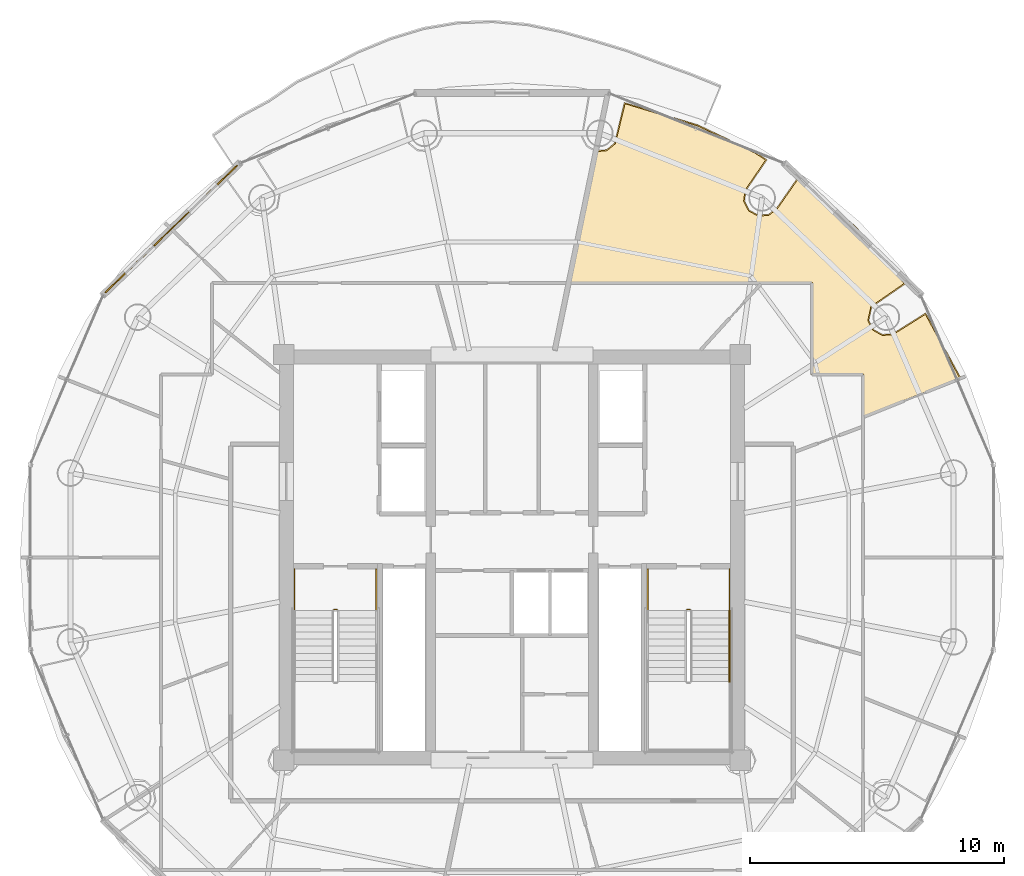
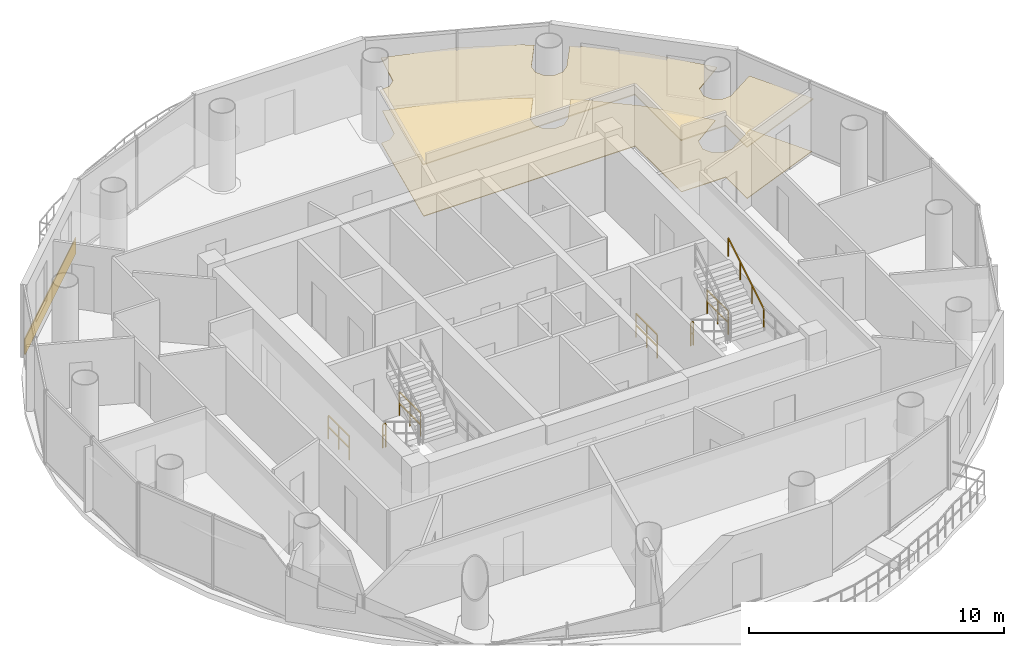
# One storey, part 20 of 21: 7 railings, 3 coverings.
"""IFC4 building model written with IfcOpenShell, lengths in metres."""

from ifc_helpers import new_model, si_unit, direction, frame, origin, origin_2d, place, context, subcontext, project, spatial, polyline, rectangle, outline, extrude, source, transform, mapped, material, layer, layer_set, type_object, element, save


model = new_model("IFC4")

# Units and contexts
model_context = context("Model", 3, precision=1e-05, world=origin(), true_north=direction((-0.2419218956, 0.970295726276)))
body_context = subcontext(model_context, "Body", "Model", "MODEL_VIEW")
ifc_project = project(units=[si_unit("LENGTHUNIT", "METRE"), si_unit("AREAUNIT", "SQUARE_METRE"), si_unit("VOLUMEUNIT", "CUBIC_METRE"), si_unit("PLANEANGLEUNIT", "RADIAN"), si_unit("MASSUNIT", "GRAM", prefix="KILO")], contexts=[model_context])

# Site, building, storey
site_placement = place(None, origin())
site = spatial("IfcSite", under=ifc_project, at=site_placement, CompositionType="ELEMENT")
building_placement = place(site_placement, origin())
building = spatial("IfcBuilding", under=site, at=building_placement, Name="Cobrevalo Terracotta Tower", CompositionType="ELEMENT")
storey_placement = place(building_placement, frame((0.0, 0.0, 281.949951171875)))
storey = spatial("IfcBuildingStorey", under=building, at=storey_placement, Name="L74", CompositionType="ELEMENT", Elevation=281.949951171875)

# Coverings
ifc_material_1 = material(Name="Engineered Brazilian hardwood flooring", Category="wood")
ifc_layer_1 = layer(ifc_material_1, 0.028076171875)
ifc_layer_set_1 = layer_set([ifc_layer_1], Name="Engineered Brazilian hardwood flooring")
covering_type_1 = type_object("IfcCoveringType", Name="Engineered Hardwood Suite Flooring 28", PredefinedType="FLOORING", material=ifc_layer_set_1)
covering_1_placement = place(storey_placement, origin())
element("IfcCovering", 1, at=covering_1_placement, inside=storey, type_object=covering_type_1, Name="Flat L74B Private Cinema Room floor finish", PredefinedType="FLOORING", context=body_context, shape_type="SweptSolid", body=[
    extrude(outline(polyline([(41.321533203125, 42.796630859375), (41.74072265625, 42.83642578125), (42.074951171875, 43.1064453125), (42.45947265625, 44.68603515625), (45.317138671875, 43.817626953125), (47.560302734375, 42.751953125), (47.99853515625, 42.4697265625), (47.18310546875, 41.2724609375), (47.1328125, 40.845703125), (47.328369140625, 40.463134765625), (47.703369140625, 40.25341796875), (48.1318359375, 40.28759765625), (48.46826171875, 40.55322265625), (49.243896484375, 41.668212890625), (49.639892578125, 41.413330078125), (51.52001953125, 39.82470703125), (53.4560546875, 37.599365234375), (52.15087890625, 36.69482421875), (52.0302734375, 36.1416015625), (52.2255859375, 35.7587890625), (52.600830078125, 35.54931640625), (53.029052734375, 35.58349609375), (54.300048828125, 36.382568359375), (55.65380859375, 33.8701171875), (51.85498046875, 32.353271484375), (51.85498046875, 34.030029296875), (49.844970703125, 34.030029296875), (49.844970703125, 37.64501953125), (40.25830078125, 37.64501953125), (41.321533203125, 42.796630859375)])), origin(), (0.0, 0.0, 1.0), 0.030029296875),
])
ifc_material_2 = material(Name="Acoustic perforated gypsum ceiling", Category="gypsum")
ifc_layer_2 = layer(ifc_material_2, 0.050048828125)
ifc_layer_set_2 = layer_set([ifc_layer_2], Name="Acoustic perforated gypsum ceiling")
covering_type_2 = type_object("IfcCoveringType", Name="Perforated Acoustic Gypsum Ceiling 50", PredefinedType="CEILING", material=ifc_layer_set_2)
covering_2_placement = place(storey_placement, frame((0.0, 0.0, 2.5)))
element("IfcCovering", 2, at=covering_2_placement, inside=storey, type_object=covering_type_2, Name="Flat L74B Private Cinema Room acoustic ceiling", PredefinedType="CEILING", context=body_context, shape_type="SweptSolid", body=[
    extrude(outline(polyline([(41.28564453125, 42.845703125), (41.7236328125, 42.87841796875), (42.03759765625, 43.1318359375), (42.424560546875, 44.738525390625), (45.333740234375, 43.859619140625), (47.582275390625, 42.79150390625), (48.062255859375, 42.482421875), (47.224365234375, 41.25439453125), (47.177490234375, 40.853759765625), (47.36083984375, 40.494384765625), (47.713134765625, 40.297607421875), (48.115234375, 40.32958984375), (48.4326171875, 40.580810546875), (49.231689453125, 41.7294921875), (49.66650390625, 41.449462890625), (51.551513671875, 39.857177734375), (53.51953125, 37.586669921875), (52.18798828125, 36.669189453125), (52.07470703125, 36.1494140625), (52.25830078125, 35.790283203125), (52.610595703125, 35.593505859375), (53.0126953125, 35.625732421875), (54.312255859375, 36.44384765625), (55.71630859375, 33.8466796875), (51.81005859375, 32.286865234375), (51.81005859375, 33.985107421875), (49.800048828125, 33.985107421875), (49.800048828125, 37.60009765625), (40.203125, 37.60009765625), (41.28564453125, 42.845703125)])), origin(), (0.0, 0.0, 1.0), 0.050048828125),
])

# Railings
ifc_material_3 = material(Name="Brushed stainless steel", Category="steel")
railing_type_1 = type_object("IfcRailingType", Name="Stainless Steel Stair Handrail 900", PredefinedType="HANDRAIL", material=ifc_material_3)
railing_1_placement = place(storey_placement, frame((46.574951171875, 21.89990234375, 2.04541015625)))
element("IfcRailing", 3, at=railing_1_placement, inside=storey, type_object=railing_type_1, Name="L74 ST-2 stair handrail 2", PredefinedType="HANDRAIL", context=body_context, shape_type="SweptSolid", body=[
    extrude(rectangle(XDim=0.048095703125, YDim=0.048095703125, at=origin_2d()), frame((0.0, 0.0, 0.8759765625), z_axis=(0.0, 0.854169791009, 0.51999420009), x_axis=(-1.0, 0.0, 0.0)), (0.0, 0.0, 1.0), 3.278076171875),
    extrude(rectangle(XDim=0.0419921875, YDim=0.0419921875, at=origin_2d()), origin(), (0.0, 0.0, 1.0), 0.851806640625),
    extrude(rectangle(XDim=0.0419921875, YDim=0.0419921875, at=origin_2d()), frame((0.0, 0.933349609375, 0.568115234375)), (0.0, 0.0, 1.0), 0.851806640625),
    extrude(rectangle(XDim=0.0419921875, YDim=0.0419921875, at=origin_2d()), frame((0.0, 1.86669921875, 1.136474609375)), (0.0, 0.0, 1.0), 0.851806640625),
    extrude(rectangle(XDim=0.0419921875, YDim=0.0419921875, at=origin_2d()), frame((0.0, 2.800048828125, 1.70458984375)), (0.0, 0.0, 1.0), 0.851806640625),
])
ifc_material_4 = material(Name="Painted galvanized steel", Category="steel")
railing_type_2 = type_object("IfcRailingType", Name="Stair Well Guard Balustrade 1150", PredefinedType="GUARDRAIL", material=ifc_material_4)
railing_2_placement = place(storey_placement, frame((30.97509765625, 24.75, 0.0)))
element("IfcRailing", 4, at=railing_2_placement, inside=storey, type_object=railing_type_2, Name="L74 ST-1 stair guard 7", PredefinedType="GUARDRAIL", context=body_context, shape_type="SweptSolid", body=[
    extrude(rectangle(XDim=0.048095703125, YDim=0.048095703125, at=origin_2d()), frame((0.0, 0.0, 1.1259765625), z_axis=(1.0, 0.0, 0.0), x_axis=(0.0, 1.0, 0.0)), (0.0, 0.0, 1.0), 0.119873046875),
    extrude(rectangle(XDim=0.048095703125, YDim=0.048095703125, at=origin_2d()), frame((0.0, 0.0, 0.574951171875), z_axis=(1.0, 0.0, 0.0), x_axis=(0.0, 1.0, 0.0)), (0.0, 0.0, 1.0), 0.119873046875),
    extrude(rectangle(XDim=0.0419921875, YDim=0.0419921875, at=origin_2d()), origin(), (0.0, 0.0, 1.0), 1.101806640625),
    extrude(rectangle(XDim=0.0419921875, YDim=0.0419921875, at=origin_2d()), frame((0.119873046875, 0.0, 0.0)), (0.0, 0.0, 1.0), 1.101806640625),
])
for number, where, name in (
    (5, (29.425048828125, 26.35009765625, 0.0), "L74 ST-1 stair guard 8"),
    (6, (32.64501953125, 26.35009765625, 0.0), "L74 ST-1 stair guard 9"),
):
    element("IfcRailing", number, at=place(storey_placement, frame(where)), inside=storey, type_object=railing_type_2, Name=name, PredefinedType="GUARDRAIL", context=body_context, shape_type="SweptSolid", body=[
        extrude(rectangle(XDim=0.048095703125, YDim=0.048095703125, at=origin_2d()), frame((0.0, 0.0, 1.1259765625), z_axis=(0.0, -1.0, 0.0), x_axis=(1.0, 0.0, 0.0)), (0.0, 0.0, 1.0), 1.650146484375),
        extrude(rectangle(XDim=0.048095703125, YDim=0.048095703125, at=origin_2d()), frame((0.0, 0.0, 0.574951171875), z_axis=(0.0, -1.0, 0.0), x_axis=(1.0, 0.0, 0.0)), (0.0, 0.0, 1.0), 1.650146484375),
        extrude(rectangle(XDim=0.0419921875, YDim=0.0419921875, at=origin_2d()), origin(), (0.0, 0.0, 1.0), 1.101806640625),
        extrude(rectangle(XDim=0.0419921875, YDim=0.0419921875, at=origin_2d()), frame((0.0, -0.8251953125, 0.0)), (0.0, 0.0, 1.0), 1.101806640625),
        extrude(rectangle(XDim=0.0419921875, YDim=0.0419921875, at=origin_2d()), frame((0.0, -1.650146484375, 0.0)), (0.0, 0.0, 1.0), 1.101806640625),
    ])
railing_3_placement = place(storey_placement, frame((44.905029296875, 24.75, 0.0)))
element("IfcRailing", 7, at=railing_3_placement, inside=storey, type_object=railing_type_2, Name="L74 ST-2 stair guard 7", PredefinedType="GUARDRAIL", context=body_context, shape_type="SweptSolid", body=[
    extrude(rectangle(XDim=0.048095703125, YDim=0.048095703125, at=origin_2d()), frame((0.0, 0.0, 1.1259765625), z_axis=(1.0, 0.0, 0.0), x_axis=(0.0, 1.0, 0.0)), (0.0, 0.0, 1.0), 0.119873046875),
    extrude(rectangle(XDim=0.048095703125, YDim=0.048095703125, at=origin_2d()), frame((0.0, 0.0, 0.574951171875), z_axis=(1.0, 0.0, 0.0), x_axis=(0.0, 1.0, 0.0)), (0.0, 0.0, 1.0), 0.119873046875),
    extrude(rectangle(XDim=0.0419921875, YDim=0.0419921875, at=origin_2d()), origin(), (0.0, 0.0, 1.0), 1.101806640625),
    extrude(rectangle(XDim=0.0419921875, YDim=0.0419921875, at=origin_2d()), frame((0.119873046875, 0.0, 0.0)), (0.0, 0.0, 1.0), 1.101806640625),
])
for number, where, name in (
    (8, (43.35498046875, 26.35009765625, 0.0), "L74 ST-2 stair guard 8"),
    (9, (46.574951171875, 26.35009765625, 0.0), "L74 ST-2 stair guard 9"),
):
    element("IfcRailing", number, at=place(storey_placement, frame(where)), inside=storey, type_object=railing_type_2, Name=name, PredefinedType="GUARDRAIL", context=body_context, shape_type="SweptSolid", body=[
        extrude(rectangle(XDim=0.048095703125, YDim=0.048095703125, at=origin_2d()), frame((0.0, 0.0, 1.1259765625), z_axis=(0.0, -1.0, 0.0), x_axis=(1.0, 0.0, 0.0)), (0.0, 0.0, 1.0), 1.650146484375),
        extrude(rectangle(XDim=0.048095703125, YDim=0.048095703125, at=origin_2d()), frame((0.0, 0.0, 0.574951171875), z_axis=(0.0, -1.0, 0.0), x_axis=(1.0, 0.0, 0.0)), (0.0, 0.0, 1.0), 1.650146484375),
        extrude(rectangle(XDim=0.0419921875, YDim=0.0419921875, at=origin_2d()), origin(), (0.0, 0.0, 1.0), 1.101806640625),
        extrude(rectangle(XDim=0.0419921875, YDim=0.0419921875, at=origin_2d()), frame((0.0, -0.8251953125, 0.0)), (0.0, 0.0, 1.0), 1.101806640625),
        extrude(rectangle(XDim=0.0419921875, YDim=0.0419921875, at=origin_2d()), frame((0.0, -1.650146484375, 0.0)), (0.0, 0.0, 1.0), 1.101806640625),
    ])

# Covering
ifc_material_5 = material(Name="Glazed terracotta facade cladding tile", Category="masonry")
ifc_layer_3 = layer(ifc_material_5, 0.044921875)
ifc_layer_set_3 = layer_set([ifc_layer_3], Name="Glazed terracotta facade cladding tile")
covering_type_3 = type_object("IfcCoveringType", Name="Architectural terracotta rainscreen spandrel cladding 45 mm", PredefinedType="CLADDING", material=ifc_layer_set_3)
shared_shape = source(origin(), body_context, "Body", "SweptSolid", [
    extrude(rectangle(XDim=7.222412109375, YDim=0.044921875, at=origin_2d()), origin(), (0.0, 0.0, 1.0), 0.760009765625),
])
covering_3_placement = place(storey_placement, frame((24.56640625, 39.748046875, 0.0400390625), z_axis=(0.0, 0.0, 1.0), x_axis=(-0.719996603293, -0.693977586992, 0.0)))
element("IfcCovering", 10, at=covering_3_placement, inside=storey, type_object=covering_type_3, Name="L74 terracotta spandrel cladding S06", PredefinedType="CLADDING", context=body_context, shape_type="MappedRepresentation", body=[
    mapped(shared_shape, transform((0.0, 0.0, 0.0), scale=1.0)),
])

save(model, "model.ifc")
